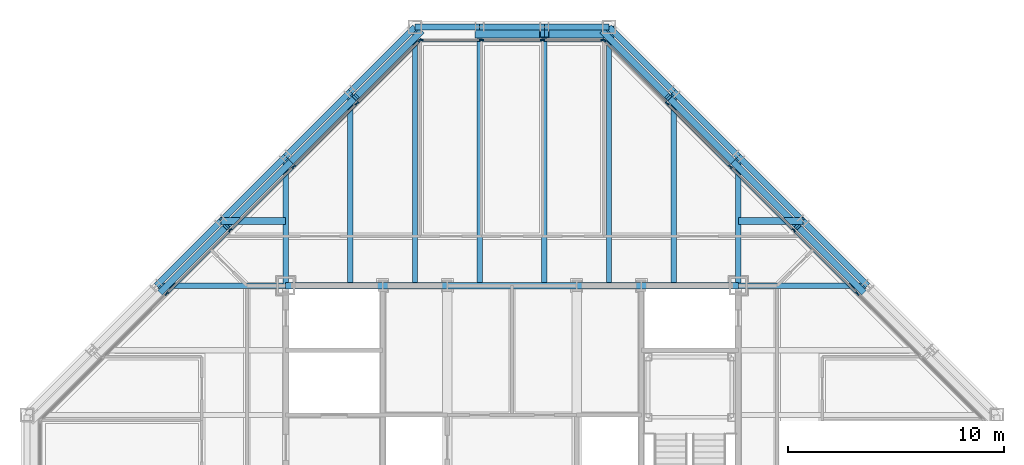
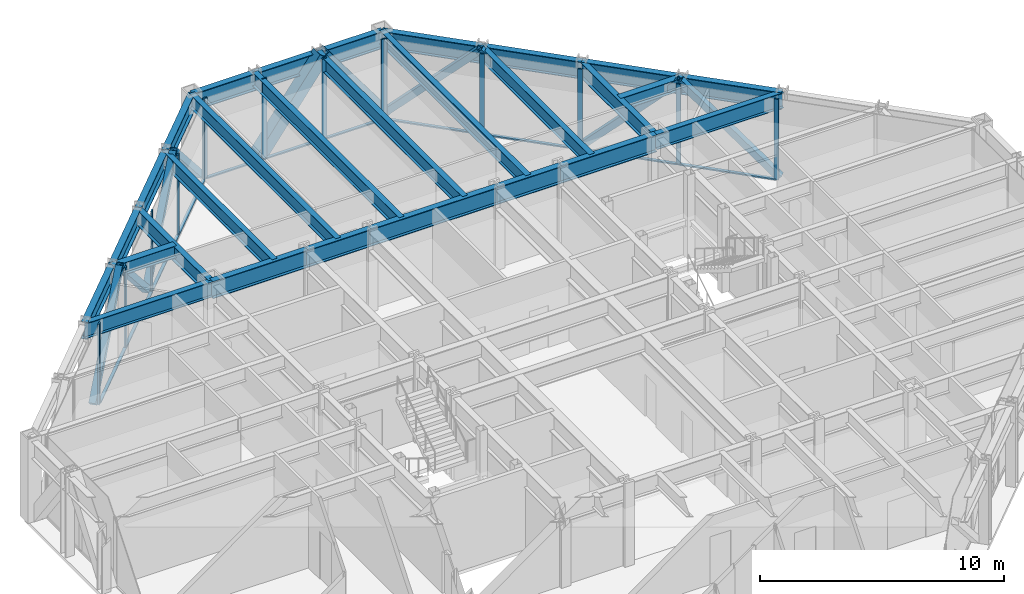
# One storey, part 8 of 15: 35 members, 28 beams, 3 elements without a shape of their own.
"""IFC4 building model written with IfcOpenShell, lengths in metres."""

from ifc_helpers import new_model, si_unit, direction, frame, origin, origin_2d, place, context, subcontext, project, spatial, rectangle, hollow_rectangle, i_section, extrude, material, layer, layer_set, material_profile, profile_set, type_object, element, aggregate, save


model = new_model("IFC4")

# Units and contexts
model_context = context("Model", 3, precision=1e-05, world=origin(), true_north=direction((0.0, 1.0)))
body_context = subcontext(model_context, "Body", "Model", "MODEL_VIEW")
ifc_project = project(units=[si_unit("LENGTHUNIT", "METRE"), si_unit("AREAUNIT", "SQUARE_METRE"), si_unit("VOLUMEUNIT", "CUBIC_METRE"), si_unit("PLANEANGLEUNIT", "RADIAN"), si_unit("MASSUNIT", "GRAM", prefix="KILO")], contexts=[model_context])

# Site, building, storey
site_placement = place(None, origin())
site = spatial("IfcSite", under=ifc_project, at=site_placement, CompositionType="ELEMENT")
building_placement = place(site_placement, origin())
building = spatial("IfcBuilding", under=site, at=building_placement, Name="Chuquiago Exchange Tower", CompositionType="ELEMENT")
storey_placement = place(building_placement, frame((0.0, 0.0, 270.60009765625)))
storey = spatial("IfcBuildingStorey", under=building, at=storey_placement, Name="L60", CompositionType="ELEMENT", Elevation=270.60009765625)

# Beams
ifc_material_1 = material(Name="Steel ASTM A992", Category="steel")
ifc_material_profile_1 = material_profile(ifc_material_1, i_section(OverallWidth=0.25390625, OverallDepth=0.683349609375, WebThickness=0.012451171875, FlangeThickness=0.018798828125, at=origin_2d()), Name="W27X94")
ifc_profile_set_1 = profile_set([ifc_material_profile_1], Name="Steel ASTM A992")
beam_type_1 = type_object("IfcBeamType", Name="B1 W27X94", PredefinedType="BEAM", material=ifc_profile_set_1)
beam_1_placement = place(storey_placement, frame((15.0, 33.0, 3.6982421875), z_axis=(0.0, 1.0, 0.0), x_axis=(-1.0, 0.0, 0.0)))
element("IfcBeam", 1, at=beam_1_placement, inside=storey, type_object=beam_type_1, Name="FB-L61-infill-15_33-15_42-0", PredefinedType="BEAM", context=body_context, shape_type="SweptSolid", body=[
    extrude(i_section(OverallWidth=0.25390625, OverallDepth=0.683349609375, WebThickness=0.012451171875, FlangeThickness=0.018798828125, at=origin_2d()), origin(), (0.0, 0.0, 1.0), 9.0),
])
for number, where, z_axis, x_axis, name in (
    (2, (18.0, 33.0, 3.6982421875), (0.0, 1.0, 0.0), (-1.0, 0.0, 0.0), "FB-L61-infill-18_33-18_45-0"),
    (3, (21.0, 33.0, 3.6982421875), (0.0, 1.0, 0.0), (-1.0, 0.0, 0.0), "FB-L61-infill-21_33-21_45-0"),
    (4, (24.0, 33.0, 3.6982421875), (0.0, 1.0, 0.0), (-1.0, 0.0, 0.0), "FB-L61-infill-24_33-24_45-0"),
    (5, (27.0, 33.0, 3.6982421875), (0.0, 1.0, 0.0), (-1.0, 0.0, 0.0), "FB-L61-infill-27_33-27_45-0"),
):
    element("IfcBeam", number, at=place(storey_placement, frame(where, z_axis=z_axis, x_axis=x_axis)), inside=storey, type_object=beam_type_1, Name=name, PredefinedType="BEAM", context=body_context, shape_type="SweptSolid", body=[
        extrude(i_section(OverallWidth=0.25390625, OverallDepth=0.683349609375, WebThickness=0.012451171875, FlangeThickness=0.018798828125, at=origin_2d()), origin(), (0.0, 0.0, 1.0), 12.0),
    ])
beam_2_placement = place(storey_placement, frame((30.0, 33.0, 3.6982421875), z_axis=(0.0, 1.0, 0.0), x_axis=(-1.0, 0.0, 0.0)))
element("IfcBeam", 6, at=beam_2_placement, inside=storey, type_object=beam_type_1, Name="FB-L61-infill-30_33-30_42-0", PredefinedType="BEAM", context=body_context, shape_type="SweptSolid", body=[
    extrude(i_section(OverallWidth=0.25390625, OverallDepth=0.683349609375, WebThickness=0.012451171875, FlangeThickness=0.018798828125, at=origin_2d()), origin(), (0.0, 0.0, 1.0), 9.0),
])
ifc_material_2 = material(Name="Steel ASTM A992", Category="steel")
ifc_material_profile_2 = material_profile(ifc_material_2, i_section(OverallWidth=0.3251953125, OverallDepth=0.612060546875, WebThickness=0.0126953125, FlangeThickness=0.01904296875, at=origin_2d()), Name="W24X104")
ifc_profile_set_2 = profile_set([ifc_material_profile_2], Name="Steel ASTM A992")
beam_type_2 = type_object("IfcBeamType", Name="B2 W24X104", PredefinedType="BEAM", material=ifc_profile_set_2)
for number, where, z_axis, x_axis, name in (
    (7, (12.0, 36.0, 3.73388671875), (-1.0, 0.0, 0.0), (0.0, -1.0, 0.0), "FB-L61-corner-12_36-9_36-0"),
    (8, (33.0, 36.0, 3.73388671875), (1.0, 0.0, 0.0), (0.0, 1.0, 0.0), "FB-L61-corner-33_36-36_36-0"),
):
    element("IfcBeam", number, at=place(storey_placement, frame(where, z_axis=z_axis, x_axis=x_axis)), inside=storey, type_object=beam_type_2, Name=name, PredefinedType="BEAM", context=body_context, shape_type="SweptSolid", body=[
        extrude(i_section(OverallWidth=0.3251953125, OverallDepth=0.612060546875, WebThickness=0.0126953125, FlangeThickness=0.01904296875, at=origin_2d()), origin(), (0.0, 0.0, 1.0), 3.0),
    ])
ifc_material_3 = material(Name="Steel ASTM A992", Category="steel")
ifc_material_profile_3 = material_profile(ifc_material_3, i_section(OverallWidth=0.2919921875, OverallDepth=0.8583984375, WebThickness=0.01708984375, FlangeThickness=0.031005859375, at=origin_2d()), Name="W33X169")
ifc_profile_set_3 = profile_set([ifc_material_profile_3], Name="Steel ASTM A992")
beam_type_3 = type_object("IfcBeamType", Name="B3 W33X169", PredefinedType="BEAM", material=ifc_profile_set_3)
beam_3_placement = place(storey_placement, frame((12.0, 33.0, 3.610595703125), z_axis=(1.0, 0.0, 0.0), x_axis=(0.0, 1.0, 0.0)))
element("IfcBeam", 9, at=beam_3_placement, inside=storey, type_object=beam_type_3, Name="CB-L61-12_33-16.5_33", PredefinedType="BEAM", context=body_context, shape_type="SweptSolid", body=[
    extrude(i_section(OverallWidth=0.2919921875, OverallDepth=0.8583984375, WebThickness=0.01708984375, FlangeThickness=0.031005859375, at=origin_2d()), origin(), (0.0, 0.0, 1.0), 4.5),
])
beam_4_placement = place(storey_placement, frame((16.5, 33.0, 3.610595703125), z_axis=(1.0, 0.0, 0.0), x_axis=(0.0, 1.0, 0.0)))
element("IfcBeam", 10, at=beam_4_placement, inside=storey, type_object=beam_type_3, Name="CB-L61-16.5_33-19.5_33", PredefinedType="BEAM", context=body_context, shape_type="SweptSolid", body=[
    extrude(i_section(OverallWidth=0.2919921875, OverallDepth=0.8583984375, WebThickness=0.01708984375, FlangeThickness=0.031005859375, at=origin_2d()), origin(), (0.0, 0.0, 1.0), 3.0),
])
beam_5_placement = place(storey_placement, frame((19.5, 33.0, 3.610595703125), z_axis=(1.0, 0.0, 0.0), x_axis=(0.0, 1.0, 0.0)))
element("IfcBeam", 11, at=beam_5_placement, inside=storey, type_object=beam_type_3, Name="CB-L61-19.5_33-25.5_33", PredefinedType="BEAM", context=body_context, shape_type="SweptSolid", body=[
    extrude(i_section(OverallWidth=0.2919921875, OverallDepth=0.8583984375, WebThickness=0.01708984375, FlangeThickness=0.031005859375, at=origin_2d()), origin(), (0.0, 0.0, 1.0), 6.0),
])
beam_6_placement = place(storey_placement, frame((25.5, 33.0, 3.610595703125), z_axis=(1.0, 0.0, 0.0), x_axis=(0.0, 1.0, 0.0)))
element("IfcBeam", 12, at=beam_6_placement, inside=storey, type_object=beam_type_3, Name="CB-L61-25.5_33-28.5_33", PredefinedType="BEAM", context=body_context, shape_type="SweptSolid", body=[
    extrude(i_section(OverallWidth=0.2919921875, OverallDepth=0.8583984375, WebThickness=0.01708984375, FlangeThickness=0.031005859375, at=origin_2d()), origin(), (0.0, 0.0, 1.0), 3.0),
])
beam_7_placement = place(storey_placement, frame((28.5, 33.0, 3.610595703125), z_axis=(1.0, 0.0, 0.0), x_axis=(0.0, 1.0, 0.0)))
element("IfcBeam", 13, at=beam_7_placement, inside=storey, type_object=beam_type_3, Name="CB-L61-28.5_33-33_33", PredefinedType="BEAM", context=body_context, shape_type="SweptSolid", body=[
    extrude(i_section(OverallWidth=0.2919921875, OverallDepth=0.8583984375, WebThickness=0.01708984375, FlangeThickness=0.031005859375, at=origin_2d()), origin(), (0.0, 0.0, 1.0), 4.5),
])

# Curtain wall, members
ifc_material_4 = material(Name="Aluminium curtain wall system", Category="aluminium")
ifc_layer_1 = layer(ifc_material_4, 0.22509765625)
ifc_layer_set_1 = layer_set([ifc_layer_1], Name="CW2 office curtain wall")
curtain_wall_type_1 = type_object("IfcCurtainWallType", Name="CW2 office curtain wall", PredefinedType="NOTDEFINED", material=ifc_layer_set_1)
curtain_wall_1_placement = place(storey_placement, origin())
curtain_wall_1 = element("IfcCurtainWall", 14, at=curtain_wall_1_placement, inside=storey, type_object=curtain_wall_type_1, Name="CW2 curtain wall L60", PredefinedType="NOTDEFINED")
ifc_material_5 = material(Name="Aluminium mullion, pale anodised", Category="aluminium")
ifc_material_profile_4 = material_profile(ifc_material_5, rectangle(XDim=0.06494140625, YDim=0.22509765625, at=origin_2d()), Name="AL 65x225")
ifc_profile_set_4 = profile_set([ifc_material_profile_4], Name="Aluminium mullion, pale anodised")
member_type_1 = type_object("IfcMemberType", Name="CW2-M mullion 65x225", PredefinedType="MULLION", material=ifc_profile_set_4)
member_1_placement = place(storey_placement, frame((26.718994140625, 44.39990234375, 0.0), z_axis=(0.0, 0.0, 1.0), x_axis=(0.0, -1.0, 0.0)))
member_1 = element("IfcMember", 15, at=member_1_placement, type_object=member_type_1, Name="CW2 mullion 1", PredefinedType="MULLION", context=body_context, shape_type="SweptSolid", body=[
    extrude(rectangle(XDim=0.06494140625, YDim=0.22509765625, at=origin_2d()), origin(), (0.0, 0.0, 1.0), 4.039794921875),
])
member_2_placement = place(storey_placement, frame((23.917236328125, 44.39990234375, 0.0), z_axis=(0.0, 0.0, 1.0), x_axis=(0.0, -1.0, 0.0)))
member_2 = element("IfcMember", 16, at=member_2_placement, type_object=member_type_1, Name="CW2 mullion 2", PredefinedType="MULLION", context=body_context, shape_type="SweptSolid", body=[
    extrude(rectangle(XDim=0.06494140625, YDim=0.22509765625, at=origin_2d()), origin(), (0.0, 0.0, 1.0), 4.039794921875),
])
member_3_placement = place(storey_placement, frame((21.082763671875, 44.39990234375, 0.0), z_axis=(0.0, 0.0, 1.0), x_axis=(0.0, -1.0, 0.0)))
member_3 = element("IfcMember", 17, at=member_3_placement, type_object=member_type_1, Name="CW2 mullion 3", PredefinedType="MULLION", context=body_context, shape_type="SweptSolid", body=[
    extrude(rectangle(XDim=0.06494140625, YDim=0.22509765625, at=origin_2d()), origin(), (0.0, 0.0, 1.0), 4.039794921875),
])
member_4_placement = place(storey_placement, frame((18.281005859375, 44.39990234375, 0.0), z_axis=(0.0, 0.0, 1.0), x_axis=(0.0, -1.0, 0.0)))
member_4 = element("IfcMember", 18, at=member_4_placement, type_object=member_type_1, Name="CW2 mullion 4", PredefinedType="MULLION", context=body_context, shape_type="SweptSolid", body=[
    extrude(rectangle(XDim=0.06494140625, YDim=0.22509765625, at=origin_2d()), origin(), (0.0, 0.0, 1.0), 4.039794921875),
])
ifc_material_6 = material(Name="Aluminium transom, pale anodised", Category="aluminium")
ifc_material_profile_5 = material_profile(ifc_material_6, rectangle(XDim=0.139892578125, YDim=0.06494140625, at=origin_2d()), Name="AL 140x65")
ifc_profile_set_5 = profile_set([ifc_material_profile_5], Name="Aluminium transom, pale anodised")
member_type_2 = type_object("IfcMemberType", Name="CW2-T transom 65x140", PredefinedType="MULLION", material=ifc_profile_set_5)
member_5_placement = place(storey_placement, frame((26.6865234375, 44.39990234375, 0.032470703125), z_axis=(-1.0, 0.0, 0.0), x_axis=(0.0, -1.0, 0.0)))
member_5 = element("IfcMember", 19, at=member_5_placement, type_object=member_type_2, Name="CW2 transom 1.1", PredefinedType="MULLION", context=body_context, shape_type="SweptSolid", body=[
    extrude(rectangle(XDim=0.139892578125, YDim=0.06494140625, at=origin_2d()), origin(), (0.0, 0.0, 1.0), 2.73681640625),
])
member_6_placement = place(storey_placement, frame((23.884765625, 44.39990234375, 0.032470703125), z_axis=(-1.0, 0.0, 0.0), x_axis=(0.0, -1.0, 0.0)))
member_6 = element("IfcMember", 20, at=member_6_placement, type_object=member_type_2, Name="CW2 transom 2.1", PredefinedType="MULLION", context=body_context, shape_type="SweptSolid", body=[
    extrude(rectangle(XDim=0.139892578125, YDim=0.06494140625, at=origin_2d()), origin(), (0.0, 0.0, 1.0), 2.76953125),
])
member_7_placement = place(storey_placement, frame((21.05029296875, 44.39990234375, 0.032470703125), z_axis=(-1.0, 0.0, 0.0), x_axis=(0.0, -1.0, 0.0)))
member_7 = element("IfcMember", 21, at=member_7_placement, type_object=member_type_2, Name="CW2 transom 3.1", PredefinedType="MULLION", context=body_context, shape_type="SweptSolid", body=[
    extrude(rectangle(XDim=0.139892578125, YDim=0.06494140625, at=origin_2d()), origin(), (0.0, 0.0, 1.0), 2.73681640625),
])
aggregate(curtain_wall_1, [member_1, member_2, member_3, member_4, member_5, member_6, member_7])

ifc_material_7 = material(Name="Aluminium curtain wall system", Category="aluminium")
ifc_layer_2 = layer(ifc_material_7, 0.199951171875)
ifc_layer_set_2 = layer_set([ifc_layer_2], Name="CW3 facet curtain wall")
curtain_wall_type_2 = type_object("IfcCurtainWallType", Name="CW3 facet curtain wall", PredefinedType="NOTDEFINED", material=ifc_layer_set_2)
curtain_wall_2_placement = place(storey_placement, origin())
curtain_wall_2 = element("IfcCurtainWall", 22, at=curtain_wall_2_placement, inside=storey, type_object=curtain_wall_type_2, Name="CW3 curtain wall L60", PredefinedType="NOTDEFINED")
ifc_material_8 = material(Name="Aluminium mullion, pale anodised", Category="aluminium")
ifc_material_profile_6 = material_profile(ifc_material_8, rectangle(XDim=0.06494140625, YDim=0.199951171875, at=origin_2d()), Name="AL 65x200")
ifc_profile_set_6 = profile_set([ifc_material_profile_6], Name="Aluminium mullion, pale anodised")
member_type_3 = type_object("IfcMemberType", Name="CW3-M mullion 65x200", PredefinedType="MULLION", material=ifc_profile_set_6)
member_8_placement = place(storey_placement, frame((38.51708984375, 32.63427734375, 0.0), z_axis=(0.0, 0.0, 1.0), x_axis=(-0.707106781187, -0.707106781187, 0.0)))
member_8 = element("IfcMember", 23, at=member_8_placement, type_object=member_type_3, Name="CW3 mullion 3", PredefinedType="MULLION", context=body_context, shape_type="SweptSolid", body=[
    extrude(rectangle(XDim=0.06494140625, YDim=0.199951171875, at=origin_2d()), origin(), (0.0, 0.0, 1.0), 4.039794921875),
])
member_9_placement = place(storey_placement, frame((35.57568359375, 35.57568359375, 0.0), z_axis=(0.0, 0.0, 1.0), x_axis=(-0.707106781187, -0.707106781187, 0.0)))
member_9 = element("IfcMember", 24, at=member_9_placement, type_object=member_type_3, Name="CW3 mullion 4", PredefinedType="MULLION", context=body_context, shape_type="SweptSolid", body=[
    extrude(rectangle(XDim=0.06494140625, YDim=0.199951171875, at=origin_2d()), origin(), (0.0, 0.0, 1.0), 4.039794921875),
])
member_10_placement = place(storey_placement, frame((32.63427734375, 38.51708984375, 0.0), z_axis=(0.0, 0.0, 1.0), x_axis=(-0.707106781187, -0.707106781187, 0.0)))
member_10 = element("IfcMember", 25, at=member_10_placement, type_object=member_type_3, Name="CW3 mullion 5", PredefinedType="MULLION", context=body_context, shape_type="SweptSolid", body=[
    extrude(rectangle(XDim=0.06494140625, YDim=0.199951171875, at=origin_2d()), origin(), (0.0, 0.0, 1.0), 4.039794921875),
])
member_11_placement = place(storey_placement, frame((29.69287109375, 41.45849609375, 0.0), z_axis=(0.0, 0.0, 1.0), x_axis=(-0.707106781187, -0.707106781187, 0.0)))
member_11 = element("IfcMember", 26, at=member_11_placement, type_object=member_type_3, Name="CW3 mullion 6", PredefinedType="MULLION", context=body_context, shape_type="SweptSolid", body=[
    extrude(rectangle(XDim=0.06494140625, YDim=0.199951171875, at=origin_2d()), origin(), (0.0, 0.0, 1.0), 4.039794921875),
])
member_12_placement = place(storey_placement, frame((26.7744140625, 44.376953125, 0.0), z_axis=(0.0, 0.0, 1.0), x_axis=(-0.707106781187, -0.707106781187, 0.0)))
member_12 = element("IfcMember", 27, at=member_12_placement, type_object=member_type_3, Name="CW3 mullion 7", PredefinedType="MULLION", context=body_context, shape_type="SweptSolid", body=[
    extrude(rectangle(XDim=0.06494140625, YDim=0.199951171875, at=origin_2d()), origin(), (0.0, 0.0, 1.0), 4.039794921875),
])

curtain_wall_3_placement = place(storey_placement, origin())
curtain_wall_3 = element("IfcCurtainWall", 28, at=curtain_wall_3_placement, inside=storey, type_object=curtain_wall_type_2, Name="CW3 curtain wall L60", PredefinedType="NOTDEFINED")
member_13_placement = place(storey_placement, frame((18.2255859375, 44.376953125, 0.0), z_axis=(0.0, 0.0, 1.0), x_axis=(0.707106781187, -0.707106781187, 0.0)))
member_13 = element("IfcMember", 29, at=member_13_placement, type_object=member_type_3, Name="CW3 mullion 1", PredefinedType="MULLION", context=body_context, shape_type="SweptSolid", body=[
    extrude(rectangle(XDim=0.06494140625, YDim=0.199951171875, at=origin_2d()), origin(), (0.0, 0.0, 1.0), 4.039794921875),
])
member_14_placement = place(storey_placement, frame((15.30712890625, 41.45849609375, 0.0), z_axis=(0.0, 0.0, 1.0), x_axis=(0.707106781187, -0.707106781187, 0.0)))
member_14 = element("IfcMember", 30, at=member_14_placement, type_object=member_type_3, Name="CW3 mullion 2", PredefinedType="MULLION", context=body_context, shape_type="SweptSolid", body=[
    extrude(rectangle(XDim=0.06494140625, YDim=0.199951171875, at=origin_2d()), origin(), (0.0, 0.0, 1.0), 4.039794921875),
])
member_15_placement = place(storey_placement, frame((12.36572265625, 38.51708984375, 0.0), z_axis=(0.0, 0.0, 1.0), x_axis=(0.707106781187, -0.707106781187, 0.0)))
member_15 = element("IfcMember", 31, at=member_15_placement, type_object=member_type_3, Name="CW3 mullion 3", PredefinedType="MULLION", context=body_context, shape_type="SweptSolid", body=[
    extrude(rectangle(XDim=0.06494140625, YDim=0.199951171875, at=origin_2d()), origin(), (0.0, 0.0, 1.0), 4.039794921875),
])
member_16_placement = place(storey_placement, frame((9.42431640625, 35.57568359375, 0.0), z_axis=(0.0, 0.0, 1.0), x_axis=(0.707106781187, -0.707106781187, 0.0)))
member_16 = element("IfcMember", 32, at=member_16_placement, type_object=member_type_3, Name="CW3 mullion 4", PredefinedType="MULLION", context=body_context, shape_type="SweptSolid", body=[
    extrude(rectangle(XDim=0.06494140625, YDim=0.199951171875, at=origin_2d()), origin(), (0.0, 0.0, 1.0), 4.039794921875),
])
member_17_placement = place(storey_placement, frame((6.48291015625, 32.63427734375, 0.0), z_axis=(0.0, 0.0, 1.0), x_axis=(0.707106781187, -0.707106781187, 0.0)))
member_17 = element("IfcMember", 33, at=member_17_placement, type_object=member_type_3, Name="CW3 mullion 5", PredefinedType="MULLION", context=body_context, shape_type="SweptSolid", body=[
    extrude(rectangle(XDim=0.06494140625, YDim=0.199951171875, at=origin_2d()), origin(), (0.0, 0.0, 1.0), 4.039794921875),
])

# Member
ifc_material_9 = material(Name="Aluminium transom, pale anodised", Category="aluminium")
ifc_material_profile_7 = material_profile(ifc_material_9, rectangle(XDim=0.139892578125, YDim=0.06494140625, at=origin_2d()), Name="AL 140x65")
ifc_profile_set_7 = profile_set([ifc_material_profile_7], Name="Aluminium transom, pale anodised")
member_type_4 = type_object("IfcMemberType", Name="CW3-T transom 65x140", PredefinedType="MULLION", material=ifc_profile_set_7)
member_18_placement = place(storey_placement, frame((38.494140625, 32.6572265625, 0.032470703125), z_axis=(-0.707106781187, 0.707106781187, 0.0), x_axis=(-0.707106781187, -0.707106781187, 0.0)))
member_18 = element("IfcMember", 34, at=member_18_placement, type_object=member_type_4, Name="CW3 transom 3.1", PredefinedType="MULLION", context=body_context, shape_type="SweptSolid", body=[
    extrude(rectangle(XDim=0.139892578125, YDim=0.06494140625, at=origin_2d()), origin(), (0.0, 0.0, 1.0), 4.094970703125),
])

member_19_placement = place(storey_placement, frame((35.552734375, 35.5986328125, 0.032470703125), z_axis=(-0.707106781187, 0.707106781187, 0.0), x_axis=(-0.707106781187, -0.707106781187, 0.0)))
member_19 = element("IfcMember", 35, at=member_19_placement, type_object=member_type_4, Name="CW3 transom 4.1", PredefinedType="MULLION", context=body_context, shape_type="SweptSolid", body=[
    extrude(rectangle(XDim=0.139892578125, YDim=0.06494140625, at=origin_2d()), origin(), (0.0, 0.0, 1.0), 4.094970703125),
])

member_20_placement = place(storey_placement, frame((32.611328125, 38.5400390625, 0.032470703125), z_axis=(-0.707106781187, 0.707106781187, 0.0), x_axis=(-0.707106781187, -0.707106781187, 0.0)))
member_20 = element("IfcMember", 36, at=member_20_placement, type_object=member_type_4, Name="CW3 transom 5.1", PredefinedType="MULLION", context=body_context, shape_type="SweptSolid", body=[
    extrude(rectangle(XDim=0.139892578125, YDim=0.06494140625, at=origin_2d()), origin(), (0.0, 0.0, 1.0), 4.094970703125),
])

member_21_placement = place(storey_placement, frame((29.669921875, 41.4814453125, 0.032470703125), z_axis=(-0.707106781187, 0.707106781187, 0.0), x_axis=(-0.707106781187, -0.707106781187, 0.0)))
member_21 = element("IfcMember", 37, at=member_21_placement, type_object=member_type_4, Name="CW3 transom 6.1", PredefinedType="MULLION", context=body_context, shape_type="SweptSolid", body=[
    extrude(rectangle(XDim=0.139892578125, YDim=0.06494140625, at=origin_2d()), origin(), (0.0, 0.0, 1.0), 4.0625),
])

aggregate(curtain_wall_2, [member_8, member_9, member_10, member_11, member_12, member_18, member_19, member_20, member_21])

member_22_placement = place(storey_placement, frame((18.20263671875, 44.35400390625, 0.032470703125), z_axis=(-0.707106781187, -0.707106781187, 0.0), x_axis=(0.707106781187, -0.707106781187, 0.0)))
member_22 = element("IfcMember", 38, at=member_22_placement, type_object=member_type_4, Name="CW3 transom 1.1", PredefinedType="MULLION", context=body_context, shape_type="SweptSolid", body=[
    extrude(rectangle(XDim=0.139892578125, YDim=0.06494140625, at=origin_2d()), origin(), (0.0, 0.0, 1.0), 4.0625),
])

member_23_placement = place(storey_placement, frame((15.2841796875, 41.435546875, 0.032470703125), z_axis=(-0.707106781187, -0.707106781187, 0.0), x_axis=(0.707106781187, -0.707106781187, 0.0)))
member_23 = element("IfcMember", 39, at=member_23_placement, type_object=member_type_4, Name="CW3 transom 2.1", PredefinedType="MULLION", context=body_context, shape_type="SweptSolid", body=[
    extrude(rectangle(XDim=0.139892578125, YDim=0.06494140625, at=origin_2d()), origin(), (0.0, 0.0, 1.0), 4.094970703125),
])

member_24_placement = place(storey_placement, frame((12.3427734375, 38.494140625, 0.032470703125), z_axis=(-0.707106781187, -0.707106781187, 0.0), x_axis=(0.707106781187, -0.707106781187, 0.0)))
member_24 = element("IfcMember", 40, at=member_24_placement, type_object=member_type_4, Name="CW3 transom 3.1", PredefinedType="MULLION", context=body_context, shape_type="SweptSolid", body=[
    extrude(rectangle(XDim=0.139892578125, YDim=0.06494140625, at=origin_2d()), origin(), (0.0, 0.0, 1.0), 4.094970703125),
])

member_25_placement = place(storey_placement, frame((9.4013671875, 35.552734375, 0.032470703125), z_axis=(-0.707106781187, -0.707106781187, 0.0), x_axis=(0.707106781187, -0.707106781187, 0.0)))
member_25 = element("IfcMember", 41, at=member_25_placement, type_object=member_type_4, Name="CW3 transom 4.1", PredefinedType="MULLION", context=body_context, shape_type="SweptSolid", body=[
    extrude(rectangle(XDim=0.139892578125, YDim=0.06494140625, at=origin_2d()), origin(), (0.0, 0.0, 1.0), 4.094970703125),
])

aggregate(curtain_wall_3, [member_13, member_14, member_15, member_16, member_17, member_22, member_23, member_24, member_25])

# Beams
ifc_material_10 = material(Name="Steel ASTM A992", Category="steel")
ifc_material_profile_8 = material_profile(ifc_material_10, i_section(OverallWidth=0.2666015625, OverallDepth=0.76953125, WebThickness=0.015625, FlangeThickness=0.025390625, at=origin_2d()), Name="W30X132")
ifc_profile_set_8 = profile_set([ifc_material_profile_8], Name="Steel ASTM A992")
beam_type_4 = type_object("IfcBeamType", Name="G1 W30X132", PredefinedType="BEAM", material=ifc_profile_set_8)
for number, where, z_axis, x_axis, name in (
    (42, (12.0, 33.0, 3.655029296875), (0.0, 1.0, 0.0), (-1.0, 0.0, 0.0), "FB-L61-girder-12_33-12_39-0"),
    (43, (33.0, 33.0, 3.655029296875), (0.0, 1.0, 0.0), (-1.0, 0.0, 0.0), "FB-L61-girder-33_33-33_39-0"),
    (44, (33.0, 33.0, 3.655029296875), (1.0, 0.0, 0.0), (0.0, 1.0, 0.0), "FB-L61-girder-33_33-39_33-0"),
    (45, (12.0, 33.0, 3.655029296875), (-1.0, 0.0, 0.0), (0.0, -1.0, 0.0), "FB-L61-girder-12_33-6_33-0"),
):
    element("IfcBeam", number, at=place(storey_placement, frame(where, z_axis=z_axis, x_axis=x_axis)), inside=storey, type_object=beam_type_4, Name=name, PredefinedType="BEAM", context=body_context, shape_type="SweptSolid", body=[
        extrude(i_section(OverallWidth=0.2666015625, OverallDepth=0.76953125, WebThickness=0.015625, FlangeThickness=0.025390625, at=origin_2d()), origin(), (0.0, 0.0, 1.0), 6.0),
    ])

# Members
ifc_material_11 = material(Name="Steel ASTM A500 Grade C", Category="steel")
ifc_material_profile_9 = material_profile(ifc_material_11, hollow_rectangle(XDim=0.3046875, YDim=0.3046875, WallThickness=0.0146484375, at=origin_2d()), Name="HSS12X12X5/8")
ifc_profile_set_9 = profile_set([ifc_material_profile_9], Name="Steel ASTM A500 Grade C")
member_type_5 = type_object("IfcMemberType", Name="LB3 HSS12X12X5/8", PredefinedType="BRACE", material=ifc_profile_set_9)
for number, where, z_axis, x_axis, name in (
    (46, (38.750732421875, 32.750732421875, 0.0), (-0.51209198167, 0.51209198167, 0.689582195694), (-0.707106781187, -0.707106781187, 0.0), "LB-L60-39_33-36_36"),
    (47, (32.750732421875, 38.750732421875, 0.0), (0.51209198167, -0.51209198167, 0.689582195694), (0.707106781187, 0.707106781187, 0.0), "LB-L60-36_36-33_39"),
    (48, (32.750732421875, 38.750732421875, 0.0), (-0.51209198167, 0.51209198167, 0.689582195694), (-0.707106781187, -0.707106781187, 0.0), "LB-L60-33_39-30_42"),
    (49, (26.750732421875, 44.750732421875, 0.0), (0.51209198167, -0.51209198167, 0.689582195694), (0.707106781187, 0.707106781187, 0.0), "LB-L60-30_42-27_45"),
    (50, (18.249267578125, 44.750732421875, 0.0), (-0.51209198167, -0.51209198167, 0.689582195694), (0.707106781187, -0.707106781187, 0.0), "LB-L60-18_45-15_42"),
    (51, (12.249267578125, 38.750732421875, 0.0), (0.51209198167, 0.51209198167, 0.689582195694), (-0.707106781187, 0.707106781187, 0.0), "LB-L60-15_42-12_39"),
    (52, (12.249267578125, 38.750732421875, 0.0), (-0.51209198167, -0.51209198167, 0.689582195694), (0.707106781187, -0.707106781187, 0.0), "LB-L60-12_39-9_36"),
    (53, (6.249267578125, 32.750732421875, 0.0), (0.51209198167, 0.51209198167, 0.689582195694), (-0.707106781187, 0.707106781187, 0.0), "LB-L60-9_36-6_33"),
):
    element("IfcMember", number, at=place(storey_placement, frame(where, z_axis=z_axis, x_axis=x_axis)), inside=storey, type_object=member_type_5, Name=name, PredefinedType="BRACE", context=body_context, shape_type="SweptSolid", body=[
        extrude(hollow_rectangle(XDim=0.3046875, YDim=0.3046875, WallThickness=0.0146484375, at=origin_2d()), origin(), (0.0, 0.0, 1.0), 5.8583984375),
    ])
ifc_material_12 = material(Name="Steel ASTM A572 Grade 50", Category="steel")
ifc_material_profile_10 = material_profile(ifc_material_12, hollow_rectangle(XDim=0.550048828125, YDim=0.550048828125, WallThickness=0.044921875, at=origin_2d()), Name="BOX550X550X45")
ifc_profile_set_10 = profile_set([ifc_material_profile_10], Name="Steel ASTM A572 Grade 50")
member_type_6 = type_object("IfcMemberType", Name="MB4 BOX550X550X45", PredefinedType="BRACE", material=ifc_profile_set_10)
for number, where, z_axis, x_axis, name in (
    (54, (27.0, 44.77001953125, 0.0), (-0.596197146086, 0.0, 0.802838067732), (0.0, -1.0, 0.0), "Mega diagonal L60 N face"),
    (55, (21.0, 44.77001953125, 0.0), (0.596197146086, 0.0, 0.802838067732), (0.0, 1.0, 0.0), "Mega diagonal L60 N face"),
):
    element("IfcMember", number, at=place(storey_placement, frame(where, z_axis=z_axis, x_axis=x_axis)), inside=storey, type_object=member_type_6, Name=name, PredefinedType="BRACE", context=body_context, shape_type="SweptSolid", body=[
        extrude(hollow_rectangle(XDim=0.550048828125, YDim=0.550048828125, WallThickness=0.044921875, at=origin_2d()), origin(), (0.0, 0.0, 1.0), 5.031982421875),
    ])

# Beams
ifc_material_13 = material(Name="Steel ASTM A992", Category="steel")
ifc_material_profile_11 = material_profile(ifc_material_13, i_section(OverallWidth=0.2919921875, OverallDepth=0.8583984375, WebThickness=0.01708984375, FlangeThickness=0.031005859375, at=origin_2d()), Name="W33X169")
ifc_profile_set_11 = profile_set([ifc_material_profile_11], Name="Steel ASTM A992")
beam_type_5 = type_object("IfcBeamType", Name="SP4 W33X169", PredefinedType="SPANDREL", material=ifc_profile_set_11)
for number, where, z_axis, x_axis, name in (
    (56, (39.0, 33.0, 3.610595703125), (-0.707106781187, 0.707106781187, 0.0), (-0.707106781187, -0.707106781187, 0.0), "SPB-L61-39_33-36_36"),
    (57, (36.0, 36.0, 3.610595703125), (-0.707106781187, 0.707106781187, 0.0), (-0.707106781187, -0.707106781187, 0.0), "SPB-L61-36_36-33_39"),
    (58, (33.0, 39.0, 3.610595703125), (-0.707106781187, 0.707106781187, 0.0), (-0.707106781187, -0.707106781187, 0.0), "SPB-L61-33_39-30_42"),
    (59, (30.0, 42.0, 3.610595703125), (-0.707106781187, 0.707106781187, 0.0), (-0.707106781187, -0.707106781187, 0.0), "SPB-L61-30_42-27_45"),
):
    element("IfcBeam", number, at=place(storey_placement, frame(where, z_axis=z_axis, x_axis=x_axis)), inside=storey, type_object=beam_type_5, Name=name, PredefinedType="SPANDREL", context=body_context, shape_type="SweptSolid", body=[
        extrude(i_section(OverallWidth=0.2919921875, OverallDepth=0.8583984375, WebThickness=0.01708984375, FlangeThickness=0.031005859375, at=origin_2d()), origin(), (0.0, 0.0, 1.0), 4.24267578125),
    ])
for number, where, z_axis, x_axis, name in (
    (60, (27.0, 45.0, 3.610595703125), (-1.0, 0.0, 0.0), (0.0, -1.0, 0.0), "SPB-L61-27_45-24_45"),
    (61, (24.0, 45.0, 3.610595703125), (-1.0, 0.0, 0.0), (0.0, -1.0, 0.0), "SPB-L61-24_45-21_45"),
    (62, (21.0, 45.0, 3.610595703125), (-1.0, 0.0, 0.0), (0.0, -1.0, 0.0), "SPB-L61-21_45-18_45"),
):
    element("IfcBeam", number, at=place(storey_placement, frame(where, z_axis=z_axis, x_axis=x_axis)), inside=storey, type_object=beam_type_5, Name=name, PredefinedType="SPANDREL", context=body_context, shape_type="SweptSolid", body=[
        extrude(i_section(OverallWidth=0.2919921875, OverallDepth=0.8583984375, WebThickness=0.01708984375, FlangeThickness=0.031005859375, at=origin_2d()), origin(), (0.0, 0.0, 1.0), 3.0),
    ])
for number, where, z_axis, x_axis, name in (
    (63, (18.0, 45.0, 3.610595703125), (-0.707106781187, -0.707106781187, 0.0), (0.707106781187, -0.707106781187, 0.0), "SPB-L61-18_45-15_42"),
    (64, (15.0, 42.0, 3.610595703125), (-0.707106781187, -0.707106781187, 0.0), (0.707106781187, -0.707106781187, 0.0), "SPB-L61-15_42-12_39"),
    (65, (12.0, 39.0, 3.610595703125), (-0.707106781187, -0.707106781187, 0.0), (0.707106781187, -0.707106781187, 0.0), "SPB-L61-12_39-9_36"),
    (66, (9.0, 36.0, 3.610595703125), (-0.707106781187, -0.707106781187, 0.0), (0.707106781187, -0.707106781187, 0.0), "SPB-L61-9_36-6_33"),
):
    element("IfcBeam", number, at=place(storey_placement, frame(where, z_axis=z_axis, x_axis=x_axis)), inside=storey, type_object=beam_type_5, Name=name, PredefinedType="SPANDREL", context=body_context, shape_type="SweptSolid", body=[
        extrude(i_section(OverallWidth=0.2919921875, OverallDepth=0.8583984375, WebThickness=0.01708984375, FlangeThickness=0.031005859375, at=origin_2d()), origin(), (0.0, 0.0, 1.0), 4.24267578125),
    ])

save(model, "model.ifc")
